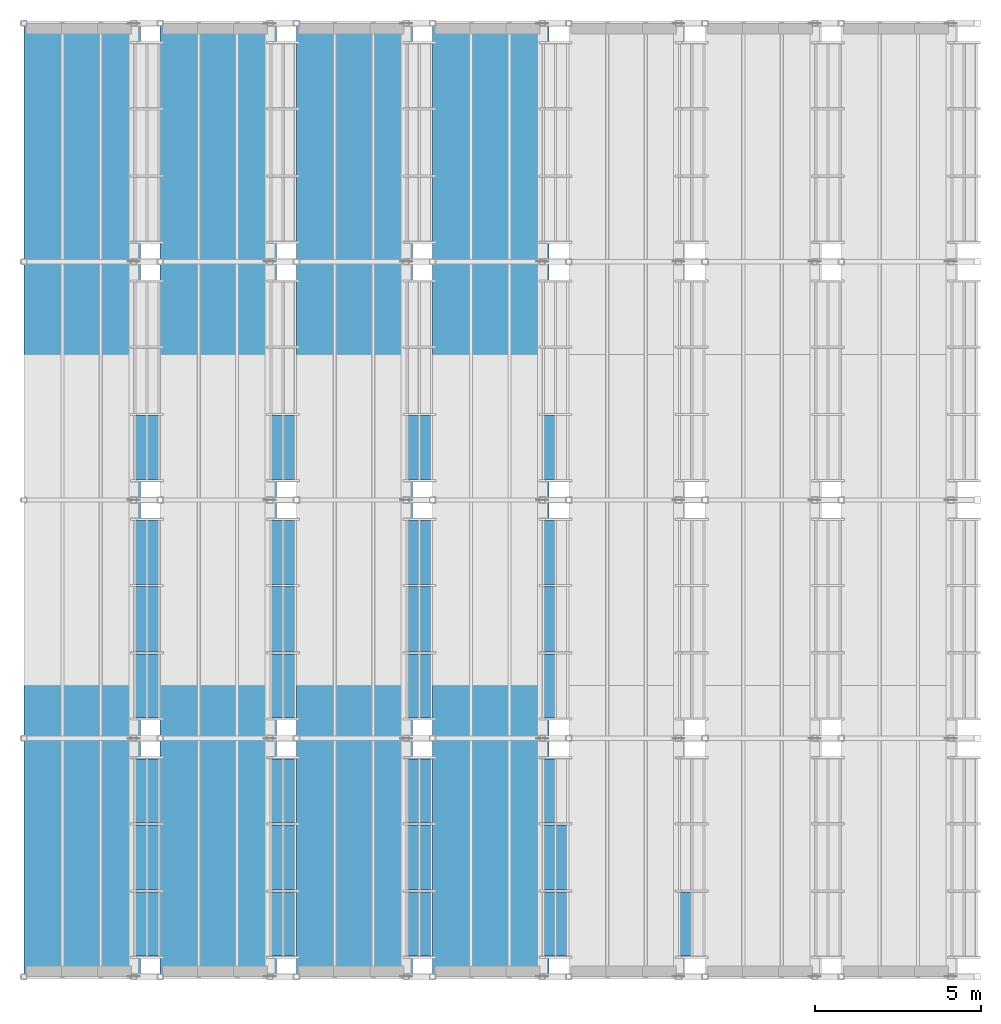
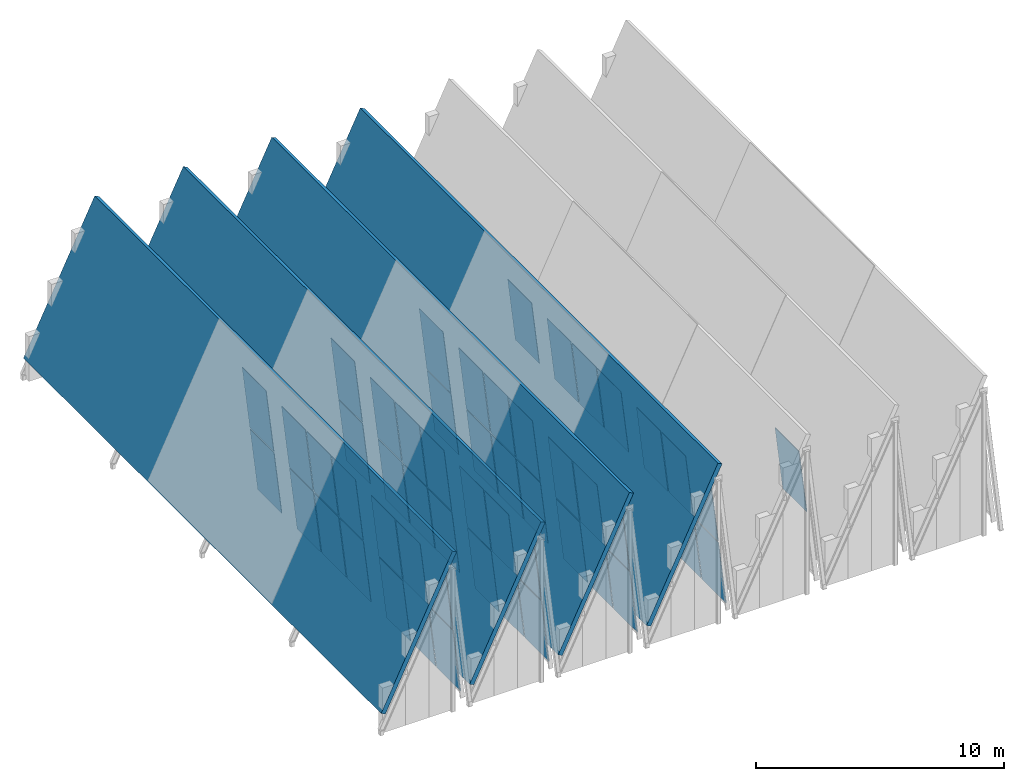
# One storey, part 14 of 28: 52 plates, 4 slabs, 13 elements without a shape of their own.
"""IFC4 building model written with IfcOpenShell, lengths in metres."""

from ifc_helpers import new_model, si_unit, direction, frame, origin, place, context, subcontext, project, spatial, polyline, outline, extrude, material, layer, layer_set, type_object, element, aggregate, save


model = new_model("IFC4")

# Units and contexts
model_context = context("Model", 3, precision=1e-05, world=origin(), true_north=direction((0.0, 1.0)))
body_context = subcontext(model_context, "Body", "Model", "MODEL_VIEW")
ifc_project = project(units=[si_unit("LENGTHUNIT", "METRE"), si_unit("AREAUNIT", "SQUARE_METRE"), si_unit("VOLUMEUNIT", "CUBIC_METRE"), si_unit("PLANEANGLEUNIT", "RADIAN"), si_unit("MASSUNIT", "GRAM", prefix="KILO")], contexts=[model_context])

# Site, building, storey
site_placement = place(None, origin())
site = spatial("IfcSite", under=ifc_project, at=site_placement, CompositionType="ELEMENT")
building_placement = place(site_placement, origin())
building = spatial("IfcBuilding", under=site, at=building_placement, Name="Bramveld Media Centre", CompositionType="ELEMENT")
storey_placement = place(building_placement, frame((0.0, 0.0, 33.89990234375)))
storey = spatial("IfcBuildingStorey", under=building, at=storey_placement, Name="ROOF", CompositionType="ELEMENT", Elevation=33.89990234375)

# Curtain wall, plates
ifc_material_1 = material(Name="Thermally broken anodized bronze aluminium unitized curtain wall with solar-control triple glazing", Category="aluminium")
curtain_wall_type = type_object("IfcCurtainWallType", Name="CW-CRN-6100x6941", PredefinedType="NOTDEFINED", material=ifc_material_1)
curtain_wall_1_placement = place(storey_placement, origin())
curtain_wall_1 = element("IfcCurtainWall", 1, at=curtain_wall_1_placement, inside=storey, type_object=curtain_wall_type, Name="V7 crown clerestory B1-S1", PredefinedType="NOTDEFINED")
ifc_material_2 = material(Name="Solar-control triple insulating safety glass unit", Category="glass")
ifc_layer_1 = layer(ifc_material_2, 0.028076171875)
ifc_layer_set_1 = layer_set([ifc_layer_1], Name="Solar-control triple insulating safety glass unit")
plate_type = type_object("IfcPlateType", Name="CW-PAN-SLP", PredefinedType="CURTAIN_PANEL", material=ifc_layer_set_1)
plate_1_placement = place(storey_placement, frame((135.2783203125, 83.820068359375, 0.290771484375), z_axis=(0.993328224304, 0.0, 0.115321458548), x_axis=(0.0, 1.0, 0.0)))
plate_1 = element("IfcPlate", 2, at=plate_1_placement, type_object=plate_type, Name="CW-CR-6169 glass panel 1.1", PredefinedType="CURTAIN_PANEL", context=body_context, shape_type="SweptSolid", body=[
    extrude(outline(polyline([(0.0, 0.0), (1.92822265625, 0.0), (1.92822265625, 3.1226401955900727), (0.0, 3.1226401955900727), (0.0, 0.0)])), origin(), (0.0, 0.0, -1.0), 0.028076171875),
])
plate_2_placement = place(storey_placement, frame((134.910400390625, 83.820068359375, 3.462158203125), z_axis=(0.993329263955, 0.0, 0.115312503096), x_axis=(0.0, 1.0, 0.0)))
plate_2 = element("IfcPlate", 3, at=plate_2_placement, type_object=plate_type, Name="CW-CR-6169 glass panel 1.2", PredefinedType="CURTAIN_PANEL", context=body_context, shape_type="SweptSolid", body=[
    extrude(outline(polyline([(0.0, 0.0), (1.92822265625, 0.0), (1.92822265625, 3.1228827074904997), (0.0, 3.1228827074904997), (0.0, 0.0)])), origin(), (0.0, 0.0, -1.0), 0.028076171875),
])
plate_3_placement = place(storey_placement, frame((135.2783203125, 85.818359375, 0.290771484375), z_axis=(0.993328224304, 0.0, 0.115321458548), x_axis=(0.0, 1.0, 0.0)))
plate_3 = element("IfcPlate", 4, at=plate_3_placement, type_object=plate_type, Name="CW-CR-6169 glass panel 2.1", PredefinedType="CURTAIN_PANEL", context=body_context, shape_type="SweptSolid", body=[
    extrude(outline(polyline([(0.0, 0.0), (1.96337890625, 0.0), (1.96337890625, 3.122640195590072), (0.0, 3.122640195590072), (0.0, 0.0)])), origin(), (0.0, 0.0, -1.0), 0.028076171875),
])
plate_4_placement = place(storey_placement, frame((134.910400390625, 85.818359375, 3.462158203125), z_axis=(0.993329263955, 0.0, 0.115312503096), x_axis=(0.0, 1.0, 0.0)))
plate_4 = element("IfcPlate", 5, at=plate_4_placement, type_object=plate_type, Name="CW-CR-6169 glass panel 2.2", PredefinedType="CURTAIN_PANEL", context=body_context, shape_type="SweptSolid", body=[
    extrude(outline(polyline([(0.0, 0.0), (1.96337890625, 0.0), (1.96337890625, 3.1228827074904997), (0.0, 3.1228827074904997), (0.0, 0.0)])), origin(), (0.0, 0.0, -1.0), 0.028076171875),
])
plate_5_placement = place(storey_placement, frame((135.2783203125, 87.851806640625, 0.290771484375), z_axis=(0.993328224304, 0.0, 0.115321458548), x_axis=(0.0, 1.0, 0.0)))
plate_5 = element("IfcPlate", 6, at=plate_5_placement, type_object=plate_type, Name="CW-CR-6169 glass panel 3.1", PredefinedType="CURTAIN_PANEL", context=body_context, shape_type="SweptSolid", body=[
    extrude(outline(polyline([(0.0, 0.0), (1.92822265625, 0.0), (1.92822265625, 3.1226401955900727), (0.0, 3.1226401955900727), (0.0, 0.0)])), origin(), (0.0, 0.0, -1.0), 0.028076171875),
])
plate_6_placement = place(storey_placement, frame((134.910400390625, 87.851806640625, 3.462158203125), z_axis=(0.993329263955, 0.0, 0.115312503096), x_axis=(0.0, 1.0, 0.0)))
plate_6 = element("IfcPlate", 7, at=plate_6_placement, type_object=plate_type, Name="CW-CR-6169 glass panel 3.2", PredefinedType="CURTAIN_PANEL", context=body_context, shape_type="SweptSolid", body=[
    extrude(outline(polyline([(0.0, 0.0), (1.92822265625, 0.0), (1.92822265625, 3.1228827074904997), (0.0, 3.1228827074904997), (0.0, 0.0)])), origin(), (0.0, 0.0, -1.0), 0.028076171875),
])
aggregate(curtain_wall_1, [plate_1, plate_2, plate_3, plate_4, plate_5, plate_6])

curtain_wall_2_placement = place(storey_placement, origin())
curtain_wall_2 = element("IfcCurtainWall", 8, at=curtain_wall_2_placement, inside=storey, type_object=curtain_wall_type, Name="V7 crown clerestory B1-S2", PredefinedType="NOTDEFINED")
plate_7_placement = place(storey_placement, frame((135.2783203125, 91.02001953125, 0.290771484375), z_axis=(0.993328224304, 0.0, 0.115321458548), x_axis=(0.0, 1.0, 0.0)))
plate_7 = element("IfcPlate", 9, at=plate_7_placement, type_object=plate_type, Name="CW-CR-6169 glass panel 1.1", PredefinedType="CURTAIN_PANEL", context=body_context, shape_type="SweptSolid", body=[
    extrude(outline(polyline([(0.0, 0.0), (1.92822265625, 0.0), (1.92822265625, 3.1226401955900727), (0.0, 3.1226401955900727), (0.0, 0.0)])), origin(), (0.0, 0.0, -1.0), 0.028076171875),
])
plate_8_placement = place(storey_placement, frame((134.910400390625, 91.02001953125, 3.462158203125), z_axis=(0.993329263955, 0.0, 0.115312503096), x_axis=(0.0, 1.0, 0.0)))
plate_8 = element("IfcPlate", 10, at=plate_8_placement, type_object=plate_type, Name="CW-CR-6169 glass panel 1.2", PredefinedType="CURTAIN_PANEL", context=body_context, shape_type="SweptSolid", body=[
    extrude(outline(polyline([(0.0, 0.0), (1.92822265625, 0.0), (1.92822265625, 3.1228827074904997), (0.0, 3.1228827074904997), (0.0, 0.0)])), origin(), (0.0, 0.0, -1.0), 0.028076171875),
])
plate_9_placement = place(storey_placement, frame((135.2783203125, 93.018310546875, 0.290771484375), z_axis=(0.993328224304, 0.0, 0.115321458548), x_axis=(0.0, 1.0, 0.0)))
plate_9 = element("IfcPlate", 11, at=plate_9_placement, type_object=plate_type, Name="CW-CR-6169 glass panel 2.1", PredefinedType="CURTAIN_PANEL", context=body_context, shape_type="SweptSolid", body=[
    extrude(outline(polyline([(0.0, 0.0), (1.96337890625, 0.0), (1.96337890625, 3.122640195590072), (0.0, 3.122640195590072), (0.0, 0.0)])), origin(), (0.0, 0.0, -1.0), 0.028076171875),
])
plate_10_placement = place(storey_placement, frame((134.910400390625, 93.018310546875, 3.462158203125), z_axis=(0.993329263955, 0.0, 0.115312503096), x_axis=(0.0, 1.0, 0.0)))
plate_10 = element("IfcPlate", 12, at=plate_10_placement, type_object=plate_type, Name="CW-CR-6169 glass panel 2.2", PredefinedType="CURTAIN_PANEL", context=body_context, shape_type="SweptSolid", body=[
    extrude(outline(polyline([(0.0, 0.0), (1.96337890625, 0.0), (1.96337890625, 3.1228827074904997), (0.0, 3.1228827074904997), (0.0, 0.0)])), origin(), (0.0, 0.0, -1.0), 0.028076171875),
])
plate_11_placement = place(storey_placement, frame((135.2783203125, 95.0517578125, 0.290771484375), z_axis=(0.993328224304, 0.0, 0.115321458548), x_axis=(0.0, 1.0, 0.0)))
plate_11 = element("IfcPlate", 13, at=plate_11_placement, type_object=plate_type, Name="CW-CR-6169 glass panel 3.1", PredefinedType="CURTAIN_PANEL", context=body_context, shape_type="SweptSolid", body=[
    extrude(outline(polyline([(0.0, 0.0), (1.92822265625, 0.0), (1.92822265625, 3.1226401955900727), (0.0, 3.1226401955900727), (0.0, 0.0)])), origin(), (0.0, 0.0, -1.0), 0.028076171875),
])
plate_12_placement = place(storey_placement, frame((134.910400390625, 95.0517578125, 3.462158203125), z_axis=(0.993329263955, 0.0, 0.115312503096), x_axis=(0.0, 1.0, 0.0)))
plate_12 = element("IfcPlate", 14, at=plate_12_placement, type_object=plate_type, Name="CW-CR-6169 glass panel 3.2", PredefinedType="CURTAIN_PANEL", context=body_context, shape_type="SweptSolid", body=[
    extrude(outline(polyline([(0.0, 0.0), (1.92822265625, 0.0), (1.92822265625, 3.1228827074904997), (0.0, 3.1228827074904997), (0.0, 0.0)])), origin(), (0.0, 0.0, -1.0), 0.028076171875),
])
aggregate(curtain_wall_2, [plate_7, plate_8, plate_9, plate_10, plate_11, plate_12])

curtain_wall_3_placement = place(storey_placement, origin())
curtain_wall_3 = element("IfcCurtainWall", 15, at=curtain_wall_3_placement, inside=storey, type_object=curtain_wall_type, Name="V7 crown clerestory B1-S3", PredefinedType="NOTDEFINED")
plate_13_placement = place(storey_placement, frame((135.2783203125, 98.219970703125, 0.290771484375), z_axis=(0.993328224304, 0.0, 0.115321458548), x_axis=(0.0, 1.0, 0.0)))
plate_13 = element("IfcPlate", 16, at=plate_13_placement, type_object=plate_type, Name="CW-CR-6169 glass panel 1.1", PredefinedType="CURTAIN_PANEL", context=body_context, shape_type="SweptSolid", body=[
    extrude(outline(polyline([(0.0, 0.0), (1.92822265625, 0.0), (1.92822265625, 3.1226401955900727), (0.0, 3.1226401955900727), (0.0, 0.0)])), origin(), (0.0, 0.0, -1.0), 0.028076171875),
])
plate_14_placement = place(storey_placement, frame((134.910400390625, 98.219970703125, 3.462158203125), z_axis=(0.993329263955, 0.0, 0.115312503096), x_axis=(0.0, 1.0, 0.0)))
plate_14 = element("IfcPlate", 17, at=plate_14_placement, type_object=plate_type, Name="CW-CR-6169 glass panel 1.2", PredefinedType="CURTAIN_PANEL", context=body_context, shape_type="SweptSolid", body=[
    extrude(outline(polyline([(0.0, 0.0), (1.92822265625, 0.0), (1.92822265625, 3.1228827074904997), (0.0, 3.1228827074904997), (0.0, 0.0)])), origin(), (0.0, 0.0, -1.0), 0.028076171875),
])
aggregate(curtain_wall_3, [plate_13, plate_14])

curtain_wall_4_placement = place(storey_placement, origin())
curtain_wall_4 = element("IfcCurtainWall", 18, at=curtain_wall_4_placement, inside=storey, type_object=curtain_wall_type, Name="V7 crown clerestory B2-S1", PredefinedType="NOTDEFINED")
plate_15_placement = place(storey_placement, frame((139.392578125, 83.820068359375, 0.290771484375), z_axis=(0.993337177532, 0.0, 0.115244313237), x_axis=(0.0, 1.0, 0.0)))
plate_15 = element("IfcPlate", 19, at=plate_15_placement, type_object=plate_type, Name="CW-CR-6169 glass panel 1.1", PredefinedType="CURTAIN_PANEL", context=body_context, shape_type="SweptSolid", body=[
    extrude(outline(polyline([(0.0, 0.0), (1.92822265625, 0.0), (1.92822265625, 3.122612050354217), (0.0, 3.122612050354217), (0.0, 0.0)])), origin(), (0.0, 0.0, -1.0), 0.028076171875),
])
plate_16_placement = place(storey_placement, frame((139.024658203125, 83.820068359375, 3.462158203125), z_axis=(0.993329263955, 0.0, 0.115312503096), x_axis=(0.0, 1.0, 0.0)))
plate_16 = element("IfcPlate", 20, at=plate_16_placement, type_object=plate_type, Name="CW-CR-6169 glass panel 1.2", PredefinedType="CURTAIN_PANEL", context=body_context, shape_type="SweptSolid", body=[
    extrude(outline(polyline([(0.0, 0.0), (1.92822265625, 0.0), (1.92822265625, 3.1228827074904997), (0.0, 3.1228827074904997), (0.0, 0.0)])), origin(), (0.0, 0.0, -1.0), 0.028076171875),
])
plate_17_placement = place(storey_placement, frame((139.392578125, 85.818359375, 0.290771484375), z_axis=(0.993337177532, 0.0, 0.115244313237), x_axis=(0.0, 1.0, 0.0)))
plate_17 = element("IfcPlate", 21, at=plate_17_placement, type_object=plate_type, Name="CW-CR-6169 glass panel 2.1", PredefinedType="CURTAIN_PANEL", context=body_context, shape_type="SweptSolid", body=[
    extrude(outline(polyline([(0.0, 0.0), (1.96337890625, 0.0), (1.96337890625, 3.122612050354217), (0.0, 3.122612050354217), (0.0, 0.0)])), origin(), (0.0, 0.0, -1.0), 0.028076171875),
])
plate_18_placement = place(storey_placement, frame((139.024658203125, 85.818359375, 3.462158203125), z_axis=(0.993329263955, 0.0, 0.115312503096), x_axis=(0.0, 1.0, 0.0)))
plate_18 = element("IfcPlate", 22, at=plate_18_placement, type_object=plate_type, Name="CW-CR-6169 glass panel 2.2", PredefinedType="CURTAIN_PANEL", context=body_context, shape_type="SweptSolid", body=[
    extrude(outline(polyline([(0.0, 0.0), (1.96337890625, 0.0), (1.96337890625, 3.1228827074904997), (0.0, 3.1228827074904997), (0.0, 0.0)])), origin(), (0.0, 0.0, -1.0), 0.028076171875),
])
plate_19_placement = place(storey_placement, frame((139.392578125, 87.851806640625, 0.290771484375), z_axis=(0.993337177532, 0.0, 0.115244313237), x_axis=(0.0, 1.0, 0.0)))
plate_19 = element("IfcPlate", 23, at=plate_19_placement, type_object=plate_type, Name="CW-CR-6169 glass panel 3.1", PredefinedType="CURTAIN_PANEL", context=body_context, shape_type="SweptSolid", body=[
    extrude(outline(polyline([(0.0, 0.0), (1.92822265625, 0.0), (1.92822265625, 3.122612050354217), (0.0, 3.122612050354217), (0.0, 0.0)])), origin(), (0.0, 0.0, -1.0), 0.028076171875),
])
plate_20_placement = place(storey_placement, frame((139.024658203125, 87.851806640625, 3.462158203125), z_axis=(0.993329263955, 0.0, 0.115312503096), x_axis=(0.0, 1.0, 0.0)))
plate_20 = element("IfcPlate", 24, at=plate_20_placement, type_object=plate_type, Name="CW-CR-6169 glass panel 3.2", PredefinedType="CURTAIN_PANEL", context=body_context, shape_type="SweptSolid", body=[
    extrude(outline(polyline([(0.0, 0.0), (1.92822265625, 0.0), (1.92822265625, 3.1228827074904997), (0.0, 3.1228827074904997), (0.0, 0.0)])), origin(), (0.0, 0.0, -1.0), 0.028076171875),
])
aggregate(curtain_wall_4, [plate_15, plate_16, plate_17, plate_18, plate_19, plate_20])

curtain_wall_5_placement = place(storey_placement, origin())
curtain_wall_5 = element("IfcCurtainWall", 25, at=curtain_wall_5_placement, inside=storey, type_object=curtain_wall_type, Name="V7 crown clerestory B2-S2", PredefinedType="NOTDEFINED")
plate_21_placement = place(storey_placement, frame((139.392578125, 91.02001953125, 0.290771484375), z_axis=(0.993337177532, 0.0, 0.115244313237), x_axis=(0.0, 1.0, 0.0)))
plate_21 = element("IfcPlate", 26, at=plate_21_placement, type_object=plate_type, Name="CW-CR-6169 glass panel 1.1", PredefinedType="CURTAIN_PANEL", context=body_context, shape_type="SweptSolid", body=[
    extrude(outline(polyline([(0.0, 0.0), (1.92822265625, 0.0), (1.92822265625, 3.122612050354217), (0.0, 3.122612050354217), (0.0, 0.0)])), origin(), (0.0, 0.0, -1.0), 0.028076171875),
])
plate_22_placement = place(storey_placement, frame((139.024658203125, 91.02001953125, 3.462158203125), z_axis=(0.993329263955, 0.0, 0.115312503096), x_axis=(0.0, 1.0, 0.0)))
plate_22 = element("IfcPlate", 27, at=plate_22_placement, type_object=plate_type, Name="CW-CR-6169 glass panel 1.2", PredefinedType="CURTAIN_PANEL", context=body_context, shape_type="SweptSolid", body=[
    extrude(outline(polyline([(0.0, 0.0), (1.92822265625, 0.0), (1.92822265625, 3.1228827074904997), (0.0, 3.1228827074904997), (0.0, 0.0)])), origin(), (0.0, 0.0, -1.0), 0.028076171875),
])
plate_23_placement = place(storey_placement, frame((139.392578125, 93.018310546875, 0.290771484375), z_axis=(0.993337177532, 0.0, 0.115244313237), x_axis=(0.0, 1.0, 0.0)))
plate_23 = element("IfcPlate", 28, at=plate_23_placement, type_object=plate_type, Name="CW-CR-6169 glass panel 2.1", PredefinedType="CURTAIN_PANEL", context=body_context, shape_type="SweptSolid", body=[
    extrude(outline(polyline([(0.0, 0.0), (1.96337890625, 0.0), (1.96337890625, 3.122612050354217), (0.0, 3.122612050354217), (0.0, 0.0)])), origin(), (0.0, 0.0, -1.0), 0.028076171875),
])
plate_24_placement = place(storey_placement, frame((139.024658203125, 93.018310546875, 3.462158203125), z_axis=(0.993329263955, 0.0, 0.115312503096), x_axis=(0.0, 1.0, 0.0)))
plate_24 = element("IfcPlate", 29, at=plate_24_placement, type_object=plate_type, Name="CW-CR-6169 glass panel 2.2", PredefinedType="CURTAIN_PANEL", context=body_context, shape_type="SweptSolid", body=[
    extrude(outline(polyline([(0.0, 0.0), (1.96337890625, 0.0), (1.96337890625, 3.1228827074904997), (0.0, 3.1228827074904997), (0.0, 0.0)])), origin(), (0.0, 0.0, -1.0), 0.028076171875),
])
plate_25_placement = place(storey_placement, frame((139.392578125, 95.0517578125, 0.290771484375), z_axis=(0.993337177532, 0.0, 0.115244313237), x_axis=(0.0, 1.0, 0.0)))
plate_25 = element("IfcPlate", 30, at=plate_25_placement, type_object=plate_type, Name="CW-CR-6169 glass panel 3.1", PredefinedType="CURTAIN_PANEL", context=body_context, shape_type="SweptSolid", body=[
    extrude(outline(polyline([(0.0, 0.0), (1.92822265625, 0.0), (1.92822265625, 3.122612050354217), (0.0, 3.122612050354217), (0.0, 0.0)])), origin(), (0.0, 0.0, -1.0), 0.028076171875),
])
plate_26_placement = place(storey_placement, frame((139.024658203125, 95.0517578125, 3.462158203125), z_axis=(0.993329263955, 0.0, 0.115312503096), x_axis=(0.0, 1.0, 0.0)))
plate_26 = element("IfcPlate", 31, at=plate_26_placement, type_object=plate_type, Name="CW-CR-6169 glass panel 3.2", PredefinedType="CURTAIN_PANEL", context=body_context, shape_type="SweptSolid", body=[
    extrude(outline(polyline([(0.0, 0.0), (1.92822265625, 0.0), (1.92822265625, 3.1228827074904997), (0.0, 3.1228827074904997), (0.0, 0.0)])), origin(), (0.0, 0.0, -1.0), 0.028076171875),
])
aggregate(curtain_wall_5, [plate_21, plate_22, plate_23, plate_24, plate_25, plate_26])

curtain_wall_6_placement = place(storey_placement, origin())
curtain_wall_6 = element("IfcCurtainWall", 32, at=curtain_wall_6_placement, inside=storey, type_object=curtain_wall_type, Name="V7 crown clerestory B2-S3", PredefinedType="NOTDEFINED")
plate_27_placement = place(storey_placement, frame((139.392578125, 98.219970703125, 0.290771484375), z_axis=(0.993337177532, 0.0, 0.115244313237), x_axis=(0.0, 1.0, 0.0)))
plate_27 = element("IfcPlate", 33, at=plate_27_placement, type_object=plate_type, Name="CW-CR-6169 glass panel 1.1", PredefinedType="CURTAIN_PANEL", context=body_context, shape_type="SweptSolid", body=[
    extrude(outline(polyline([(0.0, 0.0), (1.92822265625, 0.0), (1.92822265625, 3.122612050354217), (0.0, 3.122612050354217), (0.0, 0.0)])), origin(), (0.0, 0.0, -1.0), 0.028076171875),
])
plate_28_placement = place(storey_placement, frame((139.024658203125, 98.219970703125, 3.462158203125), z_axis=(0.993329263955, 0.0, 0.115312503096), x_axis=(0.0, 1.0, 0.0)))
plate_28 = element("IfcPlate", 34, at=plate_28_placement, type_object=plate_type, Name="CW-CR-6169 glass panel 1.2", PredefinedType="CURTAIN_PANEL", context=body_context, shape_type="SweptSolid", body=[
    extrude(outline(polyline([(0.0, 0.0), (1.92822265625, 0.0), (1.92822265625, 3.1228827074904997), (0.0, 3.1228827074904997), (0.0, 0.0)])), origin(), (0.0, 0.0, -1.0), 0.028076171875),
])
aggregate(curtain_wall_6, [plate_27, plate_28])

curtain_wall_7_placement = place(storey_placement, origin())
curtain_wall_7 = element("IfcCurtainWall", 35, at=curtain_wall_7_placement, inside=storey, type_object=curtain_wall_type, Name="V7 crown clerestory B3-S1", PredefinedType="NOTDEFINED")
plate_29_placement = place(storey_placement, frame((143.5068359375, 83.820068359375, 0.290771484375), z_axis=(0.993337177532, 0.0, 0.115244313237), x_axis=(0.0, 1.0, 0.0)))
plate_29 = element("IfcPlate", 36, at=plate_29_placement, type_object=plate_type, Name="CW-CR-6169 glass panel 1.1", PredefinedType="CURTAIN_PANEL", context=body_context, shape_type="SweptSolid", body=[
    extrude(outline(polyline([(0.0, 0.0), (1.92822265625, 0.0), (1.92822265625, 3.122612050354217), (0.0, 3.122612050354217), (0.0, 0.0)])), origin(), (0.0, 0.0, -1.0), 0.028076171875),
])
plate_30_placement = place(storey_placement, frame((143.138916015625, 83.820068359375, 3.462158203125), z_axis=(0.993329263955, 0.0, 0.115312503096), x_axis=(0.0, 1.0, 0.0)))
plate_30 = element("IfcPlate", 37, at=plate_30_placement, type_object=plate_type, Name="CW-CR-6169 glass panel 1.2", PredefinedType="CURTAIN_PANEL", context=body_context, shape_type="SweptSolid", body=[
    extrude(outline(polyline([(0.0, 0.0), (1.92822265625, 0.0), (1.92822265625, 3.1228827074904997), (0.0, 3.1228827074904997), (0.0, 0.0)])), origin(), (0.0, 0.0, -1.0), 0.028076171875),
])
plate_31_placement = place(storey_placement, frame((143.5068359375, 85.818359375, 0.290771484375), z_axis=(0.993337177532, 0.0, 0.115244313237), x_axis=(0.0, 1.0, 0.0)))
plate_31 = element("IfcPlate", 38, at=plate_31_placement, type_object=plate_type, Name="CW-CR-6169 glass panel 2.1", PredefinedType="CURTAIN_PANEL", context=body_context, shape_type="SweptSolid", body=[
    extrude(outline(polyline([(0.0, 0.0), (1.96337890625, 0.0), (1.96337890625, 3.122612050354217), (0.0, 3.122612050354217), (0.0, 0.0)])), origin(), (0.0, 0.0, -1.0), 0.028076171875),
])
plate_32_placement = place(storey_placement, frame((143.138916015625, 85.818359375, 3.462158203125), z_axis=(0.993329263955, 0.0, 0.115312503096), x_axis=(0.0, 1.0, 0.0)))
plate_32 = element("IfcPlate", 39, at=plate_32_placement, type_object=plate_type, Name="CW-CR-6169 glass panel 2.2", PredefinedType="CURTAIN_PANEL", context=body_context, shape_type="SweptSolid", body=[
    extrude(outline(polyline([(0.0, 0.0), (1.96337890625, 0.0), (1.96337890625, 3.1228827074904997), (0.0, 3.1228827074904997), (0.0, 0.0)])), origin(), (0.0, 0.0, -1.0), 0.028076171875),
])
plate_33_placement = place(storey_placement, frame((143.5068359375, 87.851806640625, 0.290771484375), z_axis=(0.993337177532, 0.0, 0.115244313237), x_axis=(0.0, 1.0, 0.0)))
plate_33 = element("IfcPlate", 40, at=plate_33_placement, type_object=plate_type, Name="CW-CR-6169 glass panel 3.1", PredefinedType="CURTAIN_PANEL", context=body_context, shape_type="SweptSolid", body=[
    extrude(outline(polyline([(0.0, 0.0), (1.92822265625, 0.0), (1.92822265625, 3.122612050354217), (0.0, 3.122612050354217), (0.0, 0.0)])), origin(), (0.0, 0.0, -1.0), 0.028076171875),
])
plate_34_placement = place(storey_placement, frame((143.138916015625, 87.851806640625, 3.462158203125), z_axis=(0.993329263955, 0.0, 0.115312503096), x_axis=(0.0, 1.0, 0.0)))
plate_34 = element("IfcPlate", 41, at=plate_34_placement, type_object=plate_type, Name="CW-CR-6169 glass panel 3.2", PredefinedType="CURTAIN_PANEL", context=body_context, shape_type="SweptSolid", body=[
    extrude(outline(polyline([(0.0, 0.0), (1.92822265625, 0.0), (1.92822265625, 3.1228827074904997), (0.0, 3.1228827074904997), (0.0, 0.0)])), origin(), (0.0, 0.0, -1.0), 0.028076171875),
])
aggregate(curtain_wall_7, [plate_29, plate_30, plate_31, plate_32, plate_33, plate_34])

curtain_wall_8_placement = place(storey_placement, origin())
curtain_wall_8 = element("IfcCurtainWall", 42, at=curtain_wall_8_placement, inside=storey, type_object=curtain_wall_type, Name="V7 crown clerestory B3-S2", PredefinedType="NOTDEFINED")
plate_35_placement = place(storey_placement, frame((143.5068359375, 91.02001953125, 0.290771484375), z_axis=(0.993337177532, 0.0, 0.115244313237), x_axis=(0.0, 1.0, 0.0)))
plate_35 = element("IfcPlate", 43, at=plate_35_placement, type_object=plate_type, Name="CW-CR-6169 glass panel 1.1", PredefinedType="CURTAIN_PANEL", context=body_context, shape_type="SweptSolid", body=[
    extrude(outline(polyline([(0.0, 0.0), (1.92822265625, 0.0), (1.92822265625, 3.122612050354217), (0.0, 3.122612050354217), (0.0, 0.0)])), origin(), (0.0, 0.0, -1.0), 0.028076171875),
])
plate_36_placement = place(storey_placement, frame((143.138916015625, 91.02001953125, 3.462158203125), z_axis=(0.993329263955, 0.0, 0.115312503096), x_axis=(0.0, 1.0, 0.0)))
plate_36 = element("IfcPlate", 44, at=plate_36_placement, type_object=plate_type, Name="CW-CR-6169 glass panel 1.2", PredefinedType="CURTAIN_PANEL", context=body_context, shape_type="SweptSolid", body=[
    extrude(outline(polyline([(0.0, 0.0), (1.92822265625, 0.0), (1.92822265625, 3.1228827074904997), (0.0, 3.1228827074904997), (0.0, 0.0)])), origin(), (0.0, 0.0, -1.0), 0.028076171875),
])
plate_37_placement = place(storey_placement, frame((143.5068359375, 93.018310546875, 0.290771484375), z_axis=(0.993337177532, 0.0, 0.115244313237), x_axis=(0.0, 1.0, 0.0)))
plate_37 = element("IfcPlate", 45, at=plate_37_placement, type_object=plate_type, Name="CW-CR-6169 glass panel 2.1", PredefinedType="CURTAIN_PANEL", context=body_context, shape_type="SweptSolid", body=[
    extrude(outline(polyline([(0.0, 0.0), (1.96337890625, 0.0), (1.96337890625, 3.122612050354217), (0.0, 3.122612050354217), (0.0, 0.0)])), origin(), (0.0, 0.0, -1.0), 0.028076171875),
])
plate_38_placement = place(storey_placement, frame((143.138916015625, 93.018310546875, 3.462158203125), z_axis=(0.993329263955, 0.0, 0.115312503096), x_axis=(0.0, 1.0, 0.0)))
plate_38 = element("IfcPlate", 46, at=plate_38_placement, type_object=plate_type, Name="CW-CR-6169 glass panel 2.2", PredefinedType="CURTAIN_PANEL", context=body_context, shape_type="SweptSolid", body=[
    extrude(outline(polyline([(0.0, 0.0), (1.96337890625, 0.0), (1.96337890625, 3.1228827074904997), (0.0, 3.1228827074904997), (0.0, 0.0)])), origin(), (0.0, 0.0, -1.0), 0.028076171875),
])
plate_39_placement = place(storey_placement, frame((143.5068359375, 95.0517578125, 0.290771484375), z_axis=(0.993337177532, 0.0, 0.115244313237), x_axis=(0.0, 1.0, 0.0)))
plate_39 = element("IfcPlate", 47, at=plate_39_placement, type_object=plate_type, Name="CW-CR-6169 glass panel 3.1", PredefinedType="CURTAIN_PANEL", context=body_context, shape_type="SweptSolid", body=[
    extrude(outline(polyline([(0.0, 0.0), (1.92822265625, 0.0), (1.92822265625, 3.122612050354217), (0.0, 3.122612050354217), (0.0, 0.0)])), origin(), (0.0, 0.0, -1.0), 0.028076171875),
])
plate_40_placement = place(storey_placement, frame((143.138916015625, 95.0517578125, 3.462158203125), z_axis=(0.993329263955, 0.0, 0.115312503096), x_axis=(0.0, 1.0, 0.0)))
plate_40 = element("IfcPlate", 48, at=plate_40_placement, type_object=plate_type, Name="CW-CR-6169 glass panel 3.2", PredefinedType="CURTAIN_PANEL", context=body_context, shape_type="SweptSolid", body=[
    extrude(outline(polyline([(0.0, 0.0), (1.92822265625, 0.0), (1.92822265625, 3.1228827074904997), (0.0, 3.1228827074904997), (0.0, 0.0)])), origin(), (0.0, 0.0, -1.0), 0.028076171875),
])
aggregate(curtain_wall_8, [plate_35, plate_36, plate_37, plate_38, plate_39, plate_40])

curtain_wall_9_placement = place(storey_placement, origin())
curtain_wall_9 = element("IfcCurtainWall", 49, at=curtain_wall_9_placement, inside=storey, type_object=curtain_wall_type, Name="V7 crown clerestory B3-S3", PredefinedType="NOTDEFINED")
plate_41_placement = place(storey_placement, frame((143.5068359375, 98.219970703125, 0.290771484375), z_axis=(0.993337177532, 0.0, 0.115244313237), x_axis=(0.0, 1.0, 0.0)))
plate_41 = element("IfcPlate", 50, at=plate_41_placement, type_object=plate_type, Name="CW-CR-6169 glass panel 1.1", PredefinedType="CURTAIN_PANEL", context=body_context, shape_type="SweptSolid", body=[
    extrude(outline(polyline([(0.0, 0.0), (1.92822265625, 0.0), (1.92822265625, 3.122612050354217), (0.0, 3.122612050354217), (0.0, 0.0)])), origin(), (0.0, 0.0, -1.0), 0.028076171875),
])
plate_42_placement = place(storey_placement, frame((143.138916015625, 98.219970703125, 3.462158203125), z_axis=(0.993329263955, 0.0, 0.115312503096), x_axis=(0.0, 1.0, 0.0)))
plate_42 = element("IfcPlate", 51, at=plate_42_placement, type_object=plate_type, Name="CW-CR-6169 glass panel 1.2", PredefinedType="CURTAIN_PANEL", context=body_context, shape_type="SweptSolid", body=[
    extrude(outline(polyline([(0.0, 0.0), (1.92822265625, 0.0), (1.92822265625, 3.1228827074904997), (0.0, 3.1228827074904997), (0.0, 0.0)])), origin(), (0.0, 0.0, -1.0), 0.028076171875),
])
aggregate(curtain_wall_9, [plate_41, plate_42])

curtain_wall_10_placement = place(storey_placement, origin())
curtain_wall_10 = element("IfcCurtainWall", 52, at=curtain_wall_10_placement, inside=storey, type_object=curtain_wall_type, Name="V7 crown clerestory B4-S1", PredefinedType="NOTDEFINED")
plate_43_placement = place(storey_placement, frame((147.62109375, 83.820068359375, 0.290771484375), z_axis=(0.993337177532, 0.0, 0.115244313237), x_axis=(0.0, 1.0, 0.0)))
plate_43 = element("IfcPlate", 53, at=plate_43_placement, type_object=plate_type, Name="CW-CR-6169 glass panel 1.1", PredefinedType="CURTAIN_PANEL", context=body_context, shape_type="SweptSolid", body=[
    extrude(outline(polyline([(0.0, 0.0), (1.92822265625, 0.0), (1.92822265625, 3.122612050354217), (0.0, 3.122612050354217), (0.0, 0.0)])), origin(), (0.0, 0.0, -1.0), 0.028076171875),
])
plate_44_placement = place(storey_placement, frame((147.253173828125, 83.820068359375, 3.462158203125), z_axis=(0.993338215802, 0.0, 0.115235363615), x_axis=(0.0, 1.0, 0.0)))
plate_44 = element("IfcPlate", 54, at=plate_44_placement, type_object=plate_type, Name="CW-CR-6169 glass panel 1.2", PredefinedType="CURTAIN_PANEL", context=body_context, shape_type="SweptSolid", body=[
    extrude(outline(polyline([(0.0, 0.0), (1.92822265625, 0.0), (1.92822265625, 3.1228545644403223), (0.0, 3.1228545644403223), (0.0, 0.0)])), origin(), (0.0, 0.0, -1.0), 0.028076171875),
])
plate_45_placement = place(storey_placement, frame((147.62109375, 85.818359375, 0.290771484375), z_axis=(0.993337177532, 0.0, 0.115244313237), x_axis=(0.0, 1.0, 0.0)))
plate_45 = element("IfcPlate", 55, at=plate_45_placement, type_object=plate_type, Name="CW-CR-6169 glass panel 2.1", PredefinedType="CURTAIN_PANEL", context=body_context, shape_type="SweptSolid", body=[
    extrude(outline(polyline([(0.0, 0.0), (1.96337890625, 0.0), (1.96337890625, 3.122612050354217), (0.0, 3.122612050354217), (0.0, 0.0)])), origin(), (0.0, 0.0, -1.0), 0.028076171875),
])
plate_46_placement = place(storey_placement, frame((147.253173828125, 85.818359375, 3.462158203125), z_axis=(0.993338215802, 0.0, 0.115235363615), x_axis=(0.0, 1.0, 0.0)))
plate_46 = element("IfcPlate", 56, at=plate_46_placement, type_object=plate_type, Name="CW-CR-6169 glass panel 2.2", PredefinedType="CURTAIN_PANEL", context=body_context, shape_type="SweptSolid", body=[
    extrude(outline(polyline([(0.0, 0.0), (1.96337890625, 0.0), (1.96337890625, 3.122854564440322), (0.0, 3.122854564440322), (0.0, 0.0)])), origin(), (0.0, 0.0, -1.0), 0.028076171875),
])
plate_47_placement = place(storey_placement, frame((147.253173828125, 87.851806640625, 3.462158203125), z_axis=(0.993338215802, 0.0, 0.115235363615), x_axis=(0.0, 1.0, 0.0)))
plate_47 = element("IfcPlate", 57, at=plate_47_placement, type_object=plate_type, Name="CW-CR-6169 glass panel 3.2", PredefinedType="CURTAIN_PANEL", context=body_context, shape_type="SweptSolid", body=[
    extrude(outline(polyline([(0.0, 0.0), (1.92822265625, 0.0), (1.92822265625, 3.1228545644403223), (0.0, 3.1228545644403223), (0.0, 0.0)])), origin(), (0.0, 0.0, -1.0), 0.028076171875),
])
aggregate(curtain_wall_10, [plate_43, plate_44, plate_45, plate_46, plate_47])

curtain_wall_11_placement = place(storey_placement, origin())
curtain_wall_11 = element("IfcCurtainWall", 58, at=curtain_wall_11_placement, inside=storey, type_object=curtain_wall_type, Name="V7 crown clerestory B4-S2", PredefinedType="NOTDEFINED")
plate_48_placement = place(storey_placement, frame((147.253173828125, 91.02001953125, 3.462158203125), z_axis=(0.993338215802, 0.0, 0.115235363615), x_axis=(0.0, 1.0, 0.0)))
plate_48 = element("IfcPlate", 59, at=plate_48_placement, type_object=plate_type, Name="CW-CR-6169 glass panel 1.2", PredefinedType="CURTAIN_PANEL", context=body_context, shape_type="SweptSolid", body=[
    extrude(outline(polyline([(0.0, 0.0), (1.92822265625, 0.0), (1.92822265625, 3.1228545644403223), (0.0, 3.1228545644403223), (0.0, 0.0)])), origin(), (0.0, 0.0, -1.0), 0.028076171875),
])
plate_49_placement = place(storey_placement, frame((147.253173828125, 93.018310546875, 3.462158203125), z_axis=(0.993338215802, 0.0, 0.115235363615), x_axis=(0.0, 1.0, 0.0)))
plate_49 = element("IfcPlate", 60, at=plate_49_placement, type_object=plate_type, Name="CW-CR-6169 glass panel 2.2", PredefinedType="CURTAIN_PANEL", context=body_context, shape_type="SweptSolid", body=[
    extrude(outline(polyline([(0.0, 0.0), (1.96337890625, 0.0), (1.96337890625, 3.122854564440322), (0.0, 3.122854564440322), (0.0, 0.0)])), origin(), (0.0, 0.0, -1.0), 0.028076171875),
])
plate_50_placement = place(storey_placement, frame((147.253173828125, 95.0517578125, 3.462158203125), z_axis=(0.993338215802, 0.0, 0.115235363615), x_axis=(0.0, 1.0, 0.0)))
plate_50 = element("IfcPlate", 61, at=plate_50_placement, type_object=plate_type, Name="CW-CR-6169 glass panel 3.2", PredefinedType="CURTAIN_PANEL", context=body_context, shape_type="SweptSolid", body=[
    extrude(outline(polyline([(0.0, 0.0), (1.92822265625, 0.0), (1.92822265625, 3.1228545644403223), (0.0, 3.1228545644403223), (0.0, 0.0)])), origin(), (0.0, 0.0, -1.0), 0.028076171875),
])
aggregate(curtain_wall_11, [plate_48, plate_49, plate_50])

# Curtain wall, plate
curtain_wall_12_placement = place(storey_placement, origin())
curtain_wall_12 = element("IfcCurtainWall", 62, at=curtain_wall_12_placement, inside=storey, type_object=curtain_wall_type, Name="V7 crown clerestory B4-S3", PredefinedType="NOTDEFINED")
plate_51_placement = place(storey_placement, frame((147.253173828125, 98.219970703125, 3.462158203125), z_axis=(0.993338215802, 0.0, 0.115235363615), x_axis=(0.0, 1.0, 0.0)))
plate_51 = element("IfcPlate", 63, at=plate_51_placement, type_object=plate_type, Name="CW-CR-6169 glass panel 1.2", PredefinedType="CURTAIN_PANEL", context=body_context, shape_type="SweptSolid", body=[
    extrude(outline(polyline([(0.0, 0.0), (1.92822265625, 0.0), (1.92822265625, 3.1228545644403223), (0.0, 3.1228545644403223), (0.0, 0.0)])), origin(), (0.0, 0.0, -1.0), 0.028076171875),
])
aggregate(curtain_wall_12, [plate_51])

curtain_wall_13_placement = place(storey_placement, origin())
curtain_wall_13 = element("IfcCurtainWall", 64, at=curtain_wall_13_placement, inside=storey, type_object=curtain_wall_type, Name="V7 crown clerestory B5-S1", PredefinedType="NOTDEFINED")
plate_52_placement = place(storey_placement, frame((151.367431640625, 83.820068359375, 3.462158203125), z_axis=(0.993329263955, 0.0, 0.115312503096), x_axis=(0.0, 1.0, 0.0)))
plate_52 = element("IfcPlate", 65, at=plate_52_placement, type_object=plate_type, Name="CW-CR-6169 glass panel 1.2", PredefinedType="CURTAIN_PANEL", context=body_context, shape_type="SweptSolid", body=[
    extrude(outline(polyline([(0.0, 0.0), (1.92822265625, 0.0), (1.92822265625, 3.1228827074904997), (0.0, 3.1228827074904997), (0.0, 0.0)])), origin(), (0.0, 0.0, -1.0), 0.028076171875),
])
aggregate(curtain_wall_13, [plate_52])

# Slabs
ifc_material_3 = material(Name="Precast concrete C40/50", Category="concrete")
ifc_layer_2 = layer(ifc_material_3, 0.219970703125)
ifc_layer_set_2 = layer_set([ifc_layer_2], Name="Precast concrete C40/50")
slab_type = type_object("IfcSlabType", Name="ROOF-SLAB-220-20", PredefinedType="ROOF", material=ifc_layer_set_2)
for number, where, z_axis, x_axis, name in (
    (66, (131.199951171875, 83.199951171875, 0.97998046875), (-0.899412333956, 0.0, 0.437101193692), (0.437101193692, 0.0, 0.899412333956), "V7 pitched crown gable roof slab bay 1"),
    (67, (135.314208984375, 83.199951171875, 0.97998046875), (-0.899412333956, 0.0, 0.437101193692), (0.437101193692, 0.0, 0.899412333956), "V7 pitched crown gable roof slab bay 2"),
):
    element("IfcSlab", number, at=place(storey_placement, frame(where, z_axis=z_axis, x_axis=x_axis)), inside=storey, type_object=slab_type, Name=name, PredefinedType="ROOF", context=body_context, shape_type="SweptSolid", body=[
        extrude(outline(polyline([(0.0, 0.0), (7.582805018221837, 0.0), (7.582805018221837, 28.800048828125007), (0.0, 28.800048828125007), (0.0, 0.0)])), origin(), (0.0, 0.0, -1.0), 0.219970703125),
    ])
for number, where, z_axis, x_axis, name in (
    (68, (139.4287109375, 83.199951171875, 0.97998046875), (-0.899424991347, 0.0, 0.437075147934), (0.437075147934, 0.0, 0.899424991347), "V7 pitched crown gable roof slab bay 3"),
    (69, (143.54296875, 83.199951171875, 0.97998046875), (-0.899424991347, 0.0, 0.437075147934), (0.437075147934, 0.0, 0.899424991347), "V7 pitched crown gable roof slab bay 4"),
):
    element("IfcSlab", number, at=place(storey_placement, frame(where, z_axis=z_axis, x_axis=x_axis)), inside=storey, type_object=slab_type, Name=name, PredefinedType="ROOF", context=body_context, shape_type="SweptSolid", body=[
        extrude(outline(polyline([(0.0, 0.0), (7.582698307242612, 0.0), (7.582698307242612, 28.800048828125), (0.0, 28.800048828125), (0.0, 0.0)])), origin(), (0.0, 0.0, -1.0), 0.219970703125),
    ])

save(model, "model.ifc")
